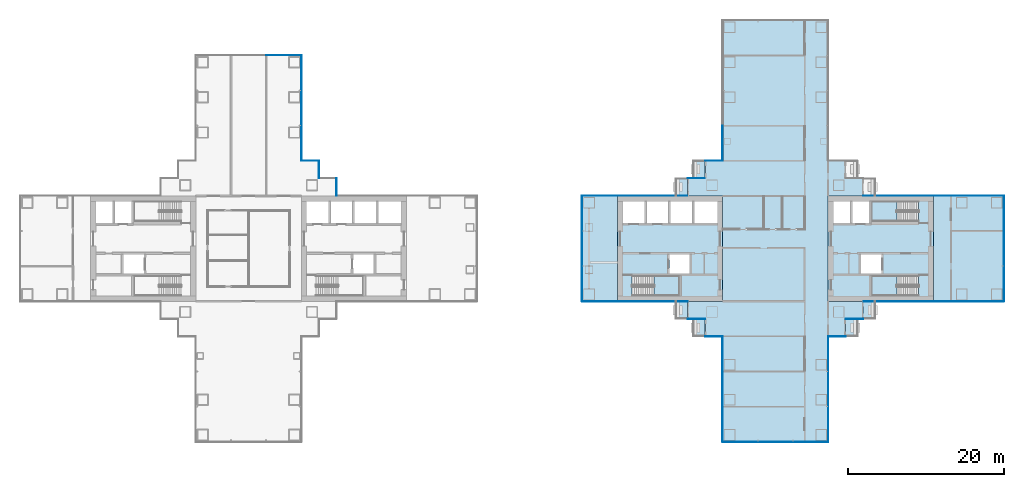
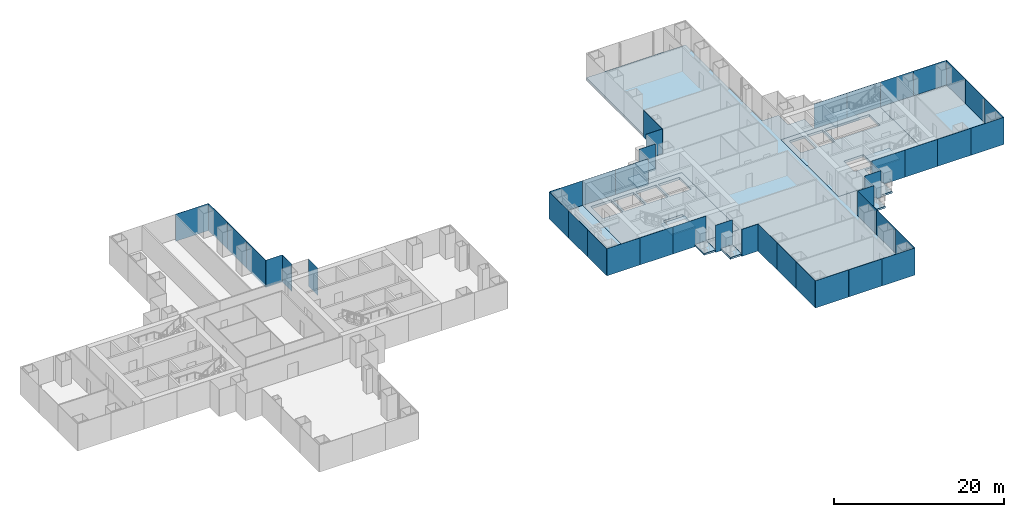
# One storey, part 11 of 21: 43 plates, 14 slabs, 23 elements without a shape of their own.
"""IFC4 building model written with IfcOpenShell, lengths in metres."""

import ifcopenshell
import ifcopenshell.guid

model = None  # the IFC model being written
_history = None  # IfcOwnerHistory: only IFC2X3 demands one
_inside = {}  # id of a spatial element -> (the spatial element, [elements in it])
_under = {}  # id of a project, library or spatial element -> (it, [spatial elements below it])
_declared = {}  # id of a project -> (the project, [libraries it declares])
_typed = {}  # id of a type object -> (the type object, [elements of that type])
_made_of = {}  # id of a material, layer set ... -> (it, [elements and type objects made of it])


def new_model(schema):
    """Start an empty IFC model of exactly this schema.

    Asked for "IFC4X3", IfcOpenShell would pick the latest addendum, in which some entities
    have other attributes; the version numbers below select the first issue.
    IFC2X3 requires an IfcOwnerHistory on every rooted entity: one is made here for all.
    """
    global model, _history
    if schema == "IFC4X3":
        model = ifcopenshell.file(schema_version=(4, 3, 0, 0))
    else:
        model = ifcopenshell.file(schema=schema)
    _inside.clear()
    _under.clear()
    _declared.clear()
    _typed.clear()
    _made_of.clear()
    _history = None
    if model.schema == "IFC2X3":
        org = make("IfcOrganization", Name="unknown")
        user = make(
            "IfcPersonAndOrganization",
            ThePerson=make("IfcPerson", FamilyName="unknown"),
            TheOrganization=org,
        )
        app = make(
            "IfcApplication",
            ApplicationDeveloper=org,
            Version="unknown",
            ApplicationFullName="unknown",
            ApplicationIdentifier="unknown",
        )
        _history = make(
            "IfcOwnerHistory",
            OwningUser=user,
            OwningApplication=app,
            ChangeAction="ADDED",
            CreationDate=0,
        )
    return model


def make(cls, **values):
    """One entity of the class cls with the attributes given. An attribute that is None is left unset."""
    return model.create_entity(
        cls, **{name: value for name, value in values.items() if value is not None}
    )


def rooted(cls, **values):
    """An entity with a GlobalId (a new one), such as an element, a storey or a relation."""
    return make(cls, GlobalId=ifcopenshell.guid.new(), OwnerHistory=_history, **values)


def si_unit(unit_type, name, prefix=None):
    """IfcSIUnit, for example si_unit("LENGTHUNIT", "METRE", prefix="MILLI")."""
    return make("IfcSIUnit", UnitType=unit_type, Prefix=prefix, Name=name)


def assignment(units):
    """IfcUnitAssignment: the units of a project."""
    return None if units is None else make("IfcUnitAssignment", Units=units)


def point(xyz):
    """IfcCartesianPoint."""
    return None if xyz is None else make("IfcCartesianPoint", Coordinates=xyz)


def direction(xyz):
    """IfcDirection."""
    return None if xyz is None else make("IfcDirection", DirectionRatios=xyz)


def frame(location, z_axis=None, x_axis=None):
    """IfcAxis2Placement3D, a coordinate frame: its origin and axes. An axis left out is left unset."""
    return make(
        "IfcAxis2Placement3D",
        Location=point(location),
        Axis=direction(z_axis),
        RefDirection=direction(x_axis),
    )


def frame_2d(location, x_axis=None):
    """IfcAxis2Placement2D, a coordinate frame in the plane: its origin and x axis."""
    return make(
        "IfcAxis2Placement2D", Location=point(location), RefDirection=direction(x_axis)
    )


def origin():
    """The frame at (0, 0, 0) with its axes left unset."""
    return frame((0.0, 0.0, 0.0))


def origin_2d():
    """The frame at (0, 0) in the plane with its x axis left unset."""
    return frame_2d((0.0, 0.0))


def place(relative_to, where):
    """IfcLocalPlacement: puts the frame where relative to a parent placement (None: the world)."""
    return make(
        "IfcLocalPlacement", PlacementRelTo=relative_to, RelativePlacement=where
    )


def context(
    kind, dimensions, precision=None, world=None, true_north=None, identifier=None
):
    """IfcGeometricRepresentationContext, for example the 3D "Model" context."""
    return make(
        "IfcGeometricRepresentationContext",
        ContextIdentifier=identifier,
        ContextType=kind,
        CoordinateSpaceDimension=dimensions,
        Precision=precision,
        WorldCoordinateSystem=world,
        TrueNorth=true_north,
    )


def subcontext(parent, identifier, kind, view, scale=None):
    """IfcGeometricRepresentationSubContext, for example "Body" below "Model"."""
    return make(
        "IfcGeometricRepresentationSubContext",
        ContextIdentifier=identifier,
        ContextType=kind,
        ParentContext=parent,
        TargetScale=scale,
        TargetView=view,
    )


def project(units=None, contexts=None):
    """IfcProject with its units and contexts."""
    return rooted(
        "IfcProject",
        Name="project",
        RepresentationContexts=contexts,
        UnitsInContext=assignment(units),
    )


def spatial(cls, under=None, at=None, **own):
    """A site, building, storey or space (cls), placed at a placement, below another one or the project."""
    s = rooted(cls, ObjectPlacement=at, **own)
    if under is not None:
        _under.setdefault(under.id(), (under, []))[1].append(s)
    return s


def polyline(points):
    """IfcPolyline through the points."""
    return make("IfcPolyline", Points=[point(p) for p in points])


def profile(cls, at=None, kind="AREA", **sizes):
    """A parametric profile (cls). Its sizes go by their IFC names, for example OverallWidth=200.0."""
    return make(cls, ProfileType=kind, Position=at, **sizes)


def rectangle(**sizes):
    """IfcRectangleProfileDef."""
    return profile("IfcRectangleProfileDef", **sizes)


def outline(outer, holes=None, kind="AREA"):
    """IfcArbitraryClosedProfileDef: a profile drawn as a closed curve; with holes, ...WithVoids."""
    if holes is None:
        return make("IfcArbitraryClosedProfileDef", ProfileType=kind, OuterCurve=outer)
    return make(
        "IfcArbitraryProfileDefWithVoids",
        ProfileType=kind,
        OuterCurve=outer,
        InnerCurves=holes,
    )


def extrude(swept, where, along, depth):
    """IfcExtrudedAreaSolid: the profile swept, set in the frame where, extruded along a direction by depth."""
    return make(
        "IfcExtrudedAreaSolid",
        SweptArea=swept,
        Position=where,
        ExtrudedDirection=direction(along),
        Depth=depth,
    )


def shape(context_of_items, identifier, shape_type, items):
    """IfcShapeRepresentation: the items that make up one representation, for example the "Body"."""
    return make(
        "IfcShapeRepresentation",
        ContextOfItems=context_of_items,
        RepresentationIdentifier=identifier,
        RepresentationType=shape_type,
        Items=items,
    )


def material(Name=None, Category=None):
    """IfcMaterial."""
    return make("IfcMaterial", Name=Name, Category=Category)


def layer(
    of_material, thickness, ventilated=None, Name=None, Category=None, Priority=None
):
    """IfcMaterialLayer: one layer of a wall or slab, of a material (None: an air gap)."""
    return make(
        "IfcMaterialLayer",
        Material=of_material,
        LayerThickness=thickness,
        IsVentilated=ventilated,
        Name=Name,
        Category=Category,
        Priority=Priority,
    )


def layer_set(layers, Name=None):
    """IfcMaterialLayerSet."""
    return make("IfcMaterialLayerSet", MaterialLayers=layers, LayerSetName=Name)


def made_of(thing, what):
    """Note that an element or type object is made of a material, layer set ...; save() writes the relation."""
    if what is not None:
        _made_of.setdefault(what.id(), (what, []))[1].append(thing)
    return thing


def type_object(cls, material=None, **own):
    """A type object (cls), such as IfcWallType, which elements share."""
    return made_of(rooted(cls, **own), material)


def element(
    cls,
    number,
    at=None,
    inside=None,
    cuts=None,
    type_object=None,
    material=None,
    context=None,
    identifier="Body",
    shape_type=None,
    held_by="IfcProductDefinitionShape",
    body=None,
    shapes=None,
    **own,
):
    """One element of the class cls, such as IfcWall. Its Tag is "e" and its number.

    at: its placement. inside: the storey or other place that contains it. cuts: it is an
    opening in that element (IfcRelVoidsElement). A single representation is given by context,
    identifier, shape_type and body (its items); several are given by shapes. held_by: the class
    of the entity that holds the representations. save() writes the other relations.
    """
    e = rooted(cls, Tag="e%d" % number, ObjectPlacement=at, **own)
    if body is not None:
        shapes = [shape(context, identifier, shape_type, body)]
    if shapes is not None:
        e.Representation = make(held_by, Representations=shapes)
    if inside is not None:
        _inside.setdefault(inside.id(), (inside, []))[1].append(e)
    if cuts is not None:
        rooted(
            "IfcRelVoidsElement", RelatingBuildingElement=cuts, RelatedOpeningElement=e
        )
    if type_object is not None:
        _typed.setdefault(type_object.id(), (type_object, []))[1].append(e)
    return made_of(e, material)


def aggregate(whole, parts):
    """IfcRelAggregates: a whole, such as a stair, and the parts it consists of."""
    return rooted("IfcRelAggregates", RelatingObject=whole, RelatedObjects=parts)


def save(model, path):
    """Write the relations noted so far, then the file.

    IfcRelAggregates (storeys below a building ...), IfcRelContainedInSpatialStructure (elements
    in a storey), IfcRelDefinesByType, IfcRelAssociatesMaterial and IfcRelDeclares: one each for
    every whole, place, type object, material and project.
    """
    for whole, parts in _under.values():
        aggregate(whole, parts)
    for where, things in _inside.values():
        rooted(
            "IfcRelContainedInSpatialStructure",
            RelatedElements=things,
            RelatingStructure=where,
        )
    for kind, things in _typed.values():
        rooted("IfcRelDefinesByType", RelatedObjects=things, RelatingType=kind)
    for what, things in _made_of.values():
        rooted("IfcRelAssociatesMaterial", RelatedObjects=things, RelatingMaterial=what)
    for by, libraries in _declared.values():
        rooted("IfcRelDeclares", RelatingContext=by, RelatedDefinitions=libraries)
    model.write(path)


model = new_model("IFC4")

# Units and contexts
model_context = context("Model", 3, precision=1e-05, world=origin(), true_north=direction((0.0, 1.0)))
body_context = subcontext(model_context, "Body", "Model", "MODEL_VIEW")
ifc_project = project(units=[si_unit("LENGTHUNIT", "METRE"), si_unit("AREAUNIT", "SQUARE_METRE"), si_unit("VOLUMEUNIT", "CUBIC_METRE"), si_unit("PLANEANGLEUNIT", "RADIAN"), si_unit("MASSUNIT", "GRAM", prefix="KILO")], contexts=[model_context])

# Site, building, storey
site_placement = place(None, origin())
site = spatial("IfcSite", under=ifc_project, at=site_placement, CompositionType="ELEMENT")
building_placement = place(site_placement, origin())
building = spatial("IfcBuilding", under=site, at=building_placement, Name="Shamsa Quay Exchange Towers", CompositionType="ELEMENT")
storey_placement = place(building_placement, frame((0.0, 0.0, 53.699951171875)))
storey = spatial("IfcBuildingStorey", under=building, at=storey_placement, Name="L11", CompositionType="ELEMENT", Elevation=53.699951171875)

# Slabs
ifc_material_1 = material(Name="Precast concrete C40/50", Category="concrete")
ifc_layer_1 = layer(ifc_material_1, 0.25)
ifc_layer_set_1 = layer_set([ifc_layer_1], Name="BALCONY SLAB 250")
slab_type_1 = type_object("IfcSlabType", Name="BALCONY SLAB 250", PredefinedType="FLOOR", material=ifc_layer_set_1)
slab_1_placement = place(storey_placement, frame((0.0, 0.0, -0.25)))
element("IfcSlab", 1, at=slab_1_placement, inside=storey, type_object=slab_type_1, Name="Balcony T2-PKEN L11", PredefinedType="FLOOR", context=body_context, shape_type="SweptSolid", body=[
    extrude(outline(polyline([(24.75, 11.25), (24.75, 9.0380859375), (23.199951171875, 9.0380859375), (23.199951171875, 11.25), (24.75, 11.25)])), origin(), (0.0, 0.0, 1.0), 0.25),
])
slab_2_placement = place(storey_placement, frame((0.0, 0.0, -0.25)))
element("IfcSlab", 2, at=slab_2_placement, inside=storey, type_object=slab_type_1, Name="Balcony T2-PKEN L11", PredefinedType="FLOOR", context=body_context, shape_type="SweptSolid", body=[
    extrude(outline(polyline([(22.5, 9.0), (22.5, 6.7880859375), (20.949951171875, 6.7880859375), (20.949951171875, 9.0), (22.5, 9.0)])), origin(), (0.0, 0.0, 1.0), 0.25),
])
slab_3_placement = place(storey_placement, frame((0.0, 0.0, -0.25)))
element("IfcSlab", 3, at=slab_3_placement, inside=storey, type_object=slab_type_1, Name="Balcony T2-PKWN L11", PredefinedType="FLOOR", context=body_context, shape_type="SweptSolid", body=[
    extrude(outline(polyline([(22.5, -6.7880859375), (22.5, -9.0), (20.949951171875, -9.0), (20.949951171875, -6.7880859375), (22.5, -6.7880859375)])), origin(), (0.0, 0.0, 1.0), 0.25),
])
slab_4_placement = place(storey_placement, frame((0.0, 0.0, -0.25)))
element("IfcSlab", 4, at=slab_4_placement, inside=storey, type_object=slab_type_1, Name="Balcony T2-PKWN L11", PredefinedType="FLOOR", context=body_context, shape_type="SweptSolid", body=[
    extrude(outline(polyline([(24.75, -9.0380859375), (24.75, -11.25), (23.199951171875, -11.25), (23.199951171875, -9.0380859375), (24.75, -9.0380859375)])), origin(), (0.0, 0.0, 1.0), 0.25),
])
slab_5_placement = place(storey_placement, frame((0.0, 0.0, -0.25)))
element("IfcSlab", 5, at=slab_5_placement, inside=storey, type_object=slab_type_1, Name="Balcony T2-PKWS L11", PredefinedType="FLOOR", context=body_context, shape_type="SweptSolid", body=[
    extrude(outline(polyline([(42.75, -11.25), (42.75, -9.0380859375), (44.300048828125, -9.0380859375), (44.300048828125, -11.25), (42.75, -11.25)])), origin(), (0.0, 0.0, 1.0), 0.25),
])
slab_6_placement = place(storey_placement, frame((0.0, 0.0, -0.25)))
element("IfcSlab", 6, at=slab_6_placement, inside=storey, type_object=slab_type_1, Name="Balcony T2-PKWS L11", PredefinedType="FLOOR", context=body_context, shape_type="SweptSolid", body=[
    extrude(outline(polyline([(45.0, -9.0), (45.0, -6.7880859375), (46.550048828125, -6.7880859375), (46.550048828125, -9.0), (45.0, -9.0)])), origin(), (0.0, 0.0, 1.0), 0.25),
])
ifc_material_2 = material(Name="Concrete C50/60", Category="concrete")
ifc_layer_2 = layer(ifc_material_2, 0.35009765625)
ifc_layer_set_2 = layer_set([ifc_layer_2], Name="CORE FLOOR 350 C50/60")
slab_type_2 = type_object("IfcSlabType", Name="CORE FLOOR 350 C50/60", PredefinedType="FLOOR", material=ifc_layer_set_2)
slab_7_placement = place(storey_placement, frame((0.0, 0.0, -0.349853515625)))
element("IfcSlab", 7, at=slab_7_placement, inside=storey, type_object=slab_type_2, Name="Core floor T2A", PredefinedType="FLOOR", context=body_context, shape_type="SweptSolid", body=[
    extrude(outline(polyline([(13.5, -6.75), (27.0, -6.75), (27.0, 6.75), (13.5, 6.75), (13.5, -6.75)]), holes=[polyline([(15.400634765625, -6.050048828125), (15.400634765625, -3.5), (21.5, -3.5), (21.5, -6.050048828125), (15.400634765625, -6.050048828125)]), polyline([(14.199951171875, 3.25), (14.199951171875, 6.050048828125), (17.0, 6.050048828125), (17.0, 3.25), (14.199951171875, 3.25)]), polyline([(17.25, 3.25), (17.25, 6.050048828125), (20.050048828125, 6.050048828125), (20.050048828125, 3.25), (17.25, 3.25)]), polyline([(20.300048828125, 3.25), (20.300048828125, 6.050048828125), (23.10009765625, 6.050048828125), (23.10009765625, 3.25), (20.300048828125, 3.25)]), polyline([(23.35009765625, 3.25), (23.35009765625, 6.050048828125), (26.300048828125, 6.050048828125), (26.300048828125, 3.25), (23.35009765625, 3.25)]), polyline([(20.14990234375, -3.25), (20.14990234375, -0.75), (22.800048828125, -0.75), (22.800048828125, -3.25), (20.14990234375, -3.25)])]), origin(), (0.0, 0.0, 1.0), 0.349853515625),
])
slab_8_placement = place(storey_placement, frame((0.0, 0.0, -0.349853515625)))
element("IfcSlab", 8, at=slab_8_placement, inside=storey, type_object=slab_type_2, Name="Core floor T2B", PredefinedType="FLOOR", context=body_context, shape_type="SweptSolid", body=[
    extrude(outline(polyline([(54.0, -6.75), (54.0, 6.75), (40.5, 6.75), (40.5, -6.75), (54.0, -6.75)]), holes=[polyline([(52.099365234375, -3.5), (52.099365234375, -6.050048828125), (46.0, -6.050048828125), (46.0, -3.5), (52.099365234375, -3.5)]), polyline([(52.099365234375, 6.050048828125), (52.099365234375, 3.5), (46.0, 3.5), (46.0, 6.050048828125), (52.099365234375, 6.050048828125)]), polyline([(45.75, 3.25), (43.60009765625, 3.25), (43.60009765625, 6.050048828125), (45.75, 6.050048828125), (45.75, 3.25)]), polyline([(43.35009765625, 3.25), (41.199951171875, 3.25), (41.199951171875, 6.050048828125), (43.35009765625, 6.050048828125), (43.35009765625, 3.25)]), polyline([(47.35009765625, -3.25), (44.699951171875, -3.25), (44.699951171875, -0.75), (47.35009765625, -0.75), (47.35009765625, -3.25)])]), origin(), (0.0, 0.0, 1.0), 0.349853515625),
])

# Stair, slab
ifc_material_3 = material(Name="Concrete C40/50", Category="concrete")
stair_type = type_object("IfcStairType", Name="EXIT STAIR 22 RISERS 177 MM", PredefinedType="HALF_TURN_STAIR", material=ifc_material_3)
stair_1_placement = place(storey_placement, origin())
stair_1 = element("IfcStair", 9, at=stair_1_placement, inside=storey, type_object=stair_type, Name="L11 Exit stair ST4", PredefinedType="HALF_TURN_STAIR")
ifc_layer_3 = layer(ifc_material_3, 0.199951171875)
ifc_layer_set_3 = layer_set([ifc_layer_3], Name="CORE STAIR LANDING")
slab_type_3 = type_object("IfcSlabType", Name="CORE STAIR LANDING", PredefinedType="LANDING", material=ifc_layer_set_3)
slab_9_placement = place(storey_placement, frame((0.0, 0.0, 1.75)))
slab_9 = element("IfcSlab", 10, at=slab_9_placement, type_object=slab_type_3, Name="ST4 landing 1", PredefinedType="LANDING", context=body_context, shape_type="SweptSolid", body=[
    extrude(outline(polyline([(18.199951171875, -6.050048828125), (21.5, -6.050048828125), (21.5, -3.5), (18.199951171875, -3.5), (18.199951171875, -6.050048828125)])), origin(), (0.0, 0.0, 1.0), 0.199951171875),
])
aggregate(stair_1, [slab_9])

stair_2_placement = place(storey_placement, origin())
stair_2 = element("IfcStair", 11, at=stair_2_placement, inside=storey, type_object=stair_type, Name="L11 Exit stair ST5", PredefinedType="HALF_TURN_STAIR")
slab_10_placement = place(storey_placement, frame((0.0, 0.0, 1.75)))
slab_10 = element("IfcSlab", 12, at=slab_10_placement, type_object=slab_type_3, Name="ST5 landing 1", PredefinedType="LANDING", context=body_context, shape_type="SweptSolid", body=[
    extrude(outline(polyline([(49.300048828125, -3.5), (46.0, -3.5), (46.0, -6.050048828125), (49.300048828125, -6.050048828125), (49.300048828125, -3.5)])), origin(), (0.0, 0.0, 1.0), 0.199951171875),
])
aggregate(stair_2, [slab_10])

stair_3_placement = place(storey_placement, origin())
stair_3 = element("IfcStair", 13, at=stair_3_placement, inside=storey, type_object=stair_type, Name="L11 Exit stair ST6", PredefinedType="HALF_TURN_STAIR")
slab_11_placement = place(storey_placement, frame((0.0, 0.0, 1.75)))
slab_11 = element("IfcSlab", 14, at=slab_11_placement, type_object=slab_type_3, Name="ST6 landing 1", PredefinedType="LANDING", context=body_context, shape_type="SweptSolid", body=[
    extrude(outline(polyline([(49.300048828125, 6.050048828125), (46.0, 6.050048828125), (46.0, 3.5), (49.300048828125, 3.5), (49.300048828125, 6.050048828125)])), origin(), (0.0, 0.0, 1.0), 0.199951171875),
])
aggregate(stair_3, [slab_11])

# Curtain wall, plates
ifc_material_4 = material(Name="Aluminium EN AW-6063 T6, black anodised", Category="aluminium")
ifc_layer_4 = layer(ifc_material_4, 0.280029296875)
ifc_layer_set_4 = layer_set([ifc_layer_4], Name="CW-1 UNITISED VISION GLASS")
curtain_wall_type_1 = type_object("IfcCurtainWallType", Name="CW-1 UNITISED VISION GLASS", PredefinedType="NOTDEFINED", material=ifc_layer_set_4)
curtain_wall_1_placement = place(storey_placement, origin())
curtain_wall_1 = element("IfcCurtainWall", 15, at=curtain_wall_1_placement, inside=storey, type_object=curtain_wall_type_1, Name="CW1 T1-FLK-V+E L11", PredefinedType="NOTDEFINED")
ifc_material_5 = material(Name="Glass, laminated, dark tinted", Category="glass")
ifc_layer_5 = layer(ifc_material_5, 0.0400390625)
ifc_layer_set_5 = layer_set([ifc_layer_5], Name="CW-1 VISION GLASS 40")
plate_type_1 = type_object("IfcPlateType", Name="CW-1 VISION GLASS 40", PredefinedType="CURTAIN_PANEL", material=ifc_layer_set_5)
plate_1_placement = place(storey_placement, frame((-26.97998046875, 13.529052734375, -0.349853515625), z_axis=(0.0, 0.0, 1.0), x_axis=(0.0, 1.0, 0.0)))
plate_1 = element("IfcPlate", 16, at=plate_1_placement, type_object=plate_type_1, Name="CW1 glass panel", PredefinedType="CURTAIN_PANEL", context=body_context, shape_type="SweptSolid", body=[
    extrude(rectangle(XDim=4.482421875, YDim=0.0400390625, at=origin_2d()), origin(), (0.0, 0.0, 1.0), 3.89990234375),
])
plate_2_placement = place(storey_placement, frame((-26.97998046875, 18.01904296875, -0.349853515625), z_axis=(0.0, 0.0, 1.0), x_axis=(0.0, 1.0, 0.0)))
plate_2 = element("IfcPlate", 17, at=plate_2_placement, type_object=plate_type_1, Name="CW1 glass panel", PredefinedType="CURTAIN_PANEL", context=body_context, shape_type="SweptSolid", body=[
    extrude(rectangle(XDim=4.477294921875, YDim=0.0400390625, at=origin_2d()), origin(), (0.0, 0.0, 1.0), 3.89990234375),
])
plate_3_placement = place(storey_placement, frame((-26.97998046875, 22.5087890625, -0.349853515625), z_axis=(0.0, 0.0, 1.0), x_axis=(0.0, 1.0, 0.0)))
plate_3 = element("IfcPlate", 18, at=plate_3_placement, type_object=plate_type_1, Name="CW1 glass panel", PredefinedType="CURTAIN_PANEL", context=body_context, shape_type="SweptSolid", body=[
    extrude(rectangle(XDim=4.482421875, YDim=0.0400390625, at=origin_2d()), origin(), (0.0, 0.0, 1.0), 3.89990234375),
])
aggregate(curtain_wall_1, [plate_1, plate_2, plate_3])

# Curtain wall, plate
curtain_wall_2_placement = place(storey_placement, origin())
curtain_wall_2 = element("IfcCurtainWall", 19, at=curtain_wall_2_placement, inside=storey, type_object=curtain_wall_type_1, Name="CW1 T1-END-V+ L11", PredefinedType="NOTDEFINED")
plate_4_placement = place(storey_placement, frame((-29.24755859375, 24.77001953125, -0.349853515625), z_axis=(0.0, 0.0, 1.0), x_axis=(-1.0, 0.0, 0.0)))
plate_4 = element("IfcPlate", 20, at=plate_4_placement, type_object=plate_type_1, Name="CW1 glass panel", PredefinedType="CURTAIN_PANEL", context=body_context, shape_type="SweptSolid", body=[
    extrude(rectangle(XDim=4.4951171875, YDim=0.0400390625, at=origin_2d()), origin(), (0.0, 0.0, 1.0), 3.89990234375),
])
aggregate(curtain_wall_2, [plate_4])

# Curtain wall, plates
curtain_wall_3_placement = place(storey_placement, origin())
curtain_wall_3 = element("IfcCurtainWall", 21, at=curtain_wall_3_placement, inside=storey, type_object=curtain_wall_type_1, Name="CW1 T2-FLK-V-W L11", PredefinedType="NOTDEFINED")
plate_5_placement = place(storey_placement, frame((56.24755859375, -6.77001953125, -0.349853515625)))
plate_5 = element("IfcPlate", 22, at=plate_5_placement, type_object=plate_type_1, Name="CW1 glass panel", PredefinedType="CURTAIN_PANEL", context=body_context, shape_type="SweptSolid", body=[
    extrude(rectangle(XDim=4.4951171875, YDim=0.0400390625, at=origin_2d()), origin(), (0.0, 0.0, 1.0), 3.89990234375),
])
plate_6_placement = place(storey_placement, frame((60.75244140625, -6.77001953125, -0.349853515625)))
plate_6 = element("IfcPlate", 23, at=plate_6_placement, type_object=plate_type_1, Name="CW1 glass panel", PredefinedType="CURTAIN_PANEL", context=body_context, shape_type="SweptSolid", body=[
    extrude(rectangle(XDim=4.4951171875, YDim=0.0400390625, at=origin_2d()), origin(), (0.0, 0.0, 1.0), 3.89990234375),
])
aggregate(curtain_wall_3, [plate_5, plate_6])

curtain_wall_4_placement = place(storey_placement, origin())
curtain_wall_4 = element("IfcCurtainWall", 24, at=curtain_wall_4_placement, inside=storey, type_object=curtain_wall_type_1, Name="CW1 T2-END-V- L11", PredefinedType="NOTDEFINED")
plate_7_placement = place(storey_placement, frame((63.02001953125, -4.50244140625, -0.349853515625), z_axis=(0.0, 0.0, 1.0), x_axis=(0.0, 1.0, 0.0)))
plate_7 = element("IfcPlate", 25, at=plate_7_placement, type_object=plate_type_1, Name="CW1 glass panel", PredefinedType="CURTAIN_PANEL", context=body_context, shape_type="SweptSolid", body=[
    extrude(rectangle(XDim=4.4951171875, YDim=0.0400390625, at=origin_2d()), origin(), (0.0, 0.0, 1.0), 3.89990234375),
])
plate_8_placement = place(storey_placement, frame((63.02001953125, 0.0, -0.349853515625), z_axis=(0.0, 0.0, 1.0), x_axis=(0.0, 1.0, 0.0)))
plate_8 = element("IfcPlate", 26, at=plate_8_placement, type_object=plate_type_1, Name="CW1 glass panel", PredefinedType="CURTAIN_PANEL", context=body_context, shape_type="SweptSolid", body=[
    extrude(rectangle(XDim=4.489990234375, YDim=0.0400390625, at=origin_2d()), origin(), (0.0, 0.0, 1.0), 3.89990234375),
])
plate_9_placement = place(storey_placement, frame((63.02001953125, 4.50244140625, -0.349853515625), z_axis=(0.0, 0.0, 1.0), x_axis=(0.0, 1.0, 0.0)))
plate_9 = element("IfcPlate", 27, at=plate_9_placement, type_object=plate_type_1, Name="CW1 glass panel", PredefinedType="CURTAIN_PANEL", context=body_context, shape_type="SweptSolid", body=[
    extrude(rectangle(XDim=4.4951171875, YDim=0.0400390625, at=origin_2d()), origin(), (0.0, 0.0, 1.0), 3.89990234375),
])
aggregate(curtain_wall_4, [plate_7, plate_8, plate_9])

curtain_wall_5_placement = place(storey_placement, origin())
curtain_wall_5 = element("IfcCurtainWall", 28, at=curtain_wall_5_placement, inside=storey, type_object=curtain_wall_type_1, Name="CW1 T2-FLK-V-E L11", PredefinedType="NOTDEFINED")
plate_10_placement = place(storey_placement, frame((60.75244140625, 6.77001953125, -0.349853515625), z_axis=(0.0, 0.0, 1.0), x_axis=(-1.0, 0.0, 0.0)))
plate_10 = element("IfcPlate", 29, at=plate_10_placement, type_object=plate_type_1, Name="CW1 glass panel", PredefinedType="CURTAIN_PANEL", context=body_context, shape_type="SweptSolid", body=[
    extrude(rectangle(XDim=4.4951171875, YDim=0.0400390625, at=origin_2d()), origin(), (0.0, 0.0, 1.0), 3.89990234375),
])
plate_11_placement = place(storey_placement, frame((56.24755859375, 6.77001953125, -0.349853515625), z_axis=(0.0, 0.0, 1.0), x_axis=(-1.0, 0.0, 0.0)))
plate_11 = element("IfcPlate", 30, at=plate_11_placement, type_object=plate_type_1, Name="CW1 glass panel", PredefinedType="CURTAIN_PANEL", context=body_context, shape_type="SweptSolid", body=[
    extrude(rectangle(XDim=4.4951171875, YDim=0.0400390625, at=origin_2d()), origin(), (0.0, 0.0, 1.0), 3.89990234375),
])
aggregate(curtain_wall_5, [plate_10, plate_11])

# Curtain wall, plate
curtain_wall_6_placement = place(storey_placement, origin())
curtain_wall_6 = element("IfcCurtainWall", 31, at=curtain_wall_6_placement, inside=storey, type_object=curtain_wall_type_1, Name="CW1 T2-FLK-U+N L11", PredefinedType="NOTDEFINED")
plate_12_placement = place(storey_placement, frame((26.97998046875, 13.49755859375, -0.349853515625), z_axis=(0.0, 0.0, 1.0), x_axis=(0.0, -1.0, 0.0)))
plate_12 = element("IfcPlate", 32, at=plate_12_placement, type_object=plate_type_1, Name="CW1 glass panel", PredefinedType="CURTAIN_PANEL", context=body_context, shape_type="SweptSolid", body=[
    extrude(rectangle(XDim=4.4951171875, YDim=0.0400390625, at=origin_2d()), origin(), (0.0, 0.0, 1.0), 3.89990234375),
])
aggregate(curtain_wall_6, [plate_12])

curtain_wall_7_placement = place(storey_placement, origin())
curtain_wall_7 = element("IfcCurtainWall", 33, at=curtain_wall_7_placement, inside=storey, type_object=curtain_wall_type_1, Name="CW1 T2-FLK-V+E L11", PredefinedType="NOTDEFINED")
plate_13_placement = place(storey_placement, frame((11.25, 6.77001953125, -0.349853515625), z_axis=(0.0, 0.0, 1.0), x_axis=(-1.0, 0.0, 0.0)))
plate_13 = element("IfcPlate", 34, at=plate_13_placement, type_object=plate_type_1, Name="CW1 glass panel", PredefinedType="CURTAIN_PANEL", context=body_context, shape_type="SweptSolid", body=[
    extrude(rectangle(XDim=4.5, YDim=0.0400390625, at=origin_2d()), origin(), (0.0, 0.0, 1.0), 3.89990234375),
])
aggregate(curtain_wall_7, [plate_13])

# Curtain wall, plates
curtain_wall_8_placement = place(storey_placement, origin())
curtain_wall_8 = element("IfcCurtainWall", 35, at=curtain_wall_8_placement, inside=storey, type_object=curtain_wall_type_1, Name="CW1 T2-END-V+ L11", PredefinedType="NOTDEFINED")
plate_14_placement = place(storey_placement, frame((8.97998046875, 4.50244140625, -0.349853515625), z_axis=(0.0, 0.0, 1.0), x_axis=(0.0, -1.0, 0.0)))
plate_14 = element("IfcPlate", 36, at=plate_14_placement, type_object=plate_type_1, Name="CW1 glass panel", PredefinedType="CURTAIN_PANEL", context=body_context, shape_type="SweptSolid", body=[
    extrude(rectangle(XDim=4.4951171875, YDim=0.0400390625, at=origin_2d()), origin(), (0.0, 0.0, 1.0), 3.89990234375),
])
plate_15_placement = place(storey_placement, frame((8.97998046875, 0.0, -0.349853515625), z_axis=(0.0, 0.0, 1.0), x_axis=(0.0, -1.0, 0.0)))
plate_15 = element("IfcPlate", 37, at=plate_15_placement, type_object=plate_type_1, Name="CW1 glass panel", PredefinedType="CURTAIN_PANEL", context=body_context, shape_type="SweptSolid", body=[
    extrude(rectangle(XDim=4.489990234375, YDim=0.0400390625, at=origin_2d()), origin(), (0.0, 0.0, 1.0), 3.89990234375),
])
plate_16_placement = place(storey_placement, frame((8.97998046875, -4.50244140625, -0.349853515625), z_axis=(0.0, 0.0, 1.0), x_axis=(0.0, -1.0, 0.0)))
plate_16 = element("IfcPlate", 38, at=plate_16_placement, type_object=plate_type_1, Name="CW1 glass panel", PredefinedType="CURTAIN_PANEL", context=body_context, shape_type="SweptSolid", body=[
    extrude(rectangle(XDim=4.4951171875, YDim=0.0400390625, at=origin_2d()), origin(), (0.0, 0.0, 1.0), 3.89990234375),
])
aggregate(curtain_wall_8, [plate_14, plate_15, plate_16])

# Curtain wall, plate
curtain_wall_9_placement = place(storey_placement, origin())
curtain_wall_9 = element("IfcCurtainWall", 39, at=curtain_wall_9_placement, inside=storey, type_object=curtain_wall_type_1, Name="CW1 T2-FLK-V+W L11", PredefinedType="NOTDEFINED")
plate_17_placement = place(storey_placement, frame((11.25, -6.77001953125, -0.349853515625)))
plate_17 = element("IfcPlate", 40, at=plate_17_placement, type_object=plate_type_1, Name="CW1 glass panel", PredefinedType="CURTAIN_PANEL", context=body_context, shape_type="SweptSolid", body=[
    extrude(rectangle(XDim=4.5, YDim=0.0400390625, at=origin_2d()), origin(), (0.0, 0.0, 1.0), 3.89990234375),
])
aggregate(curtain_wall_9, [plate_17])

# Curtain wall, plates
curtain_wall_10_placement = place(storey_placement, origin())
curtain_wall_10 = element("IfcCurtainWall", 41, at=curtain_wall_10_placement, inside=storey, type_object=curtain_wall_type_1, Name="CW1 T2-FLK-U-N L11", PredefinedType="NOTDEFINED")
plate_18_placement = place(storey_placement, frame((26.97998046875, -13.529052734375, -0.349853515625), z_axis=(0.0, 0.0, 1.0), x_axis=(0.0, -1.0, 0.0)))
plate_18 = element("IfcPlate", 42, at=plate_18_placement, type_object=plate_type_1, Name="CW1 glass panel", PredefinedType="CURTAIN_PANEL", context=body_context, shape_type="SweptSolid", body=[
    extrude(rectangle(XDim=4.482421875, YDim=0.0400390625, at=origin_2d()), origin(), (0.0, 0.0, 1.0), 3.89990234375),
])
plate_19_placement = place(storey_placement, frame((26.97998046875, -18.01904296875, -0.349853515625), z_axis=(0.0, 0.0, 1.0), x_axis=(0.0, -1.0, 0.0)))
plate_19 = element("IfcPlate", 43, at=plate_19_placement, type_object=plate_type_1, Name="CW1 glass panel", PredefinedType="CURTAIN_PANEL", context=body_context, shape_type="SweptSolid", body=[
    extrude(rectangle(XDim=4.477294921875, YDim=0.0400390625, at=origin_2d()), origin(), (0.0, 0.0, 1.0), 3.89990234375),
])
plate_20_placement = place(storey_placement, frame((26.97998046875, -22.5087890625, -0.349853515625), z_axis=(0.0, 0.0, 1.0), x_axis=(0.0, -1.0, 0.0)))
plate_20 = element("IfcPlate", 44, at=plate_20_placement, type_object=plate_type_1, Name="CW1 glass panel", PredefinedType="CURTAIN_PANEL", context=body_context, shape_type="SweptSolid", body=[
    extrude(rectangle(XDim=4.482421875, YDim=0.0400390625, at=origin_2d()), origin(), (0.0, 0.0, 1.0), 3.89990234375),
])
aggregate(curtain_wall_10, [plate_18, plate_19, plate_20])

curtain_wall_11_placement = place(storey_placement, origin())
curtain_wall_11 = element("IfcCurtainWall", 45, at=curtain_wall_11_placement, inside=storey, type_object=curtain_wall_type_1, Name="CW1 T2-END-U- L11", PredefinedType="NOTDEFINED")
plate_21_placement = place(storey_placement, frame((29.24755859375, -24.77001953125, -0.349853515625)))
plate_21 = element("IfcPlate", 46, at=plate_21_placement, type_object=plate_type_1, Name="CW1 glass panel", PredefinedType="CURTAIN_PANEL", context=body_context, shape_type="SweptSolid", body=[
    extrude(rectangle(XDim=4.4951171875, YDim=0.0400390625, at=origin_2d()), origin(), (0.0, 0.0, 1.0), 3.89990234375),
])
plate_22_placement = place(storey_placement, frame((33.75, -24.77001953125, -0.349853515625)))
plate_22 = element("IfcPlate", 47, at=plate_22_placement, type_object=plate_type_1, Name="CW1 glass panel", PredefinedType="CURTAIN_PANEL", context=body_context, shape_type="SweptSolid", body=[
    extrude(rectangle(XDim=4.489990234375, YDim=0.0400390625, at=origin_2d()), origin(), (0.0, 0.0, 1.0), 3.89990234375),
])
plate_23_placement = place(storey_placement, frame((38.25244140625, -24.77001953125, -0.349853515625)))
plate_23 = element("IfcPlate", 48, at=plate_23_placement, type_object=plate_type_1, Name="CW1 glass panel", PredefinedType="CURTAIN_PANEL", context=body_context, shape_type="SweptSolid", body=[
    extrude(rectangle(XDim=4.4951171875, YDim=0.0400390625, at=origin_2d()), origin(), (0.0, 0.0, 1.0), 3.89990234375),
])
aggregate(curtain_wall_11, [plate_21, plate_22, plate_23])

curtain_wall_12_placement = place(storey_placement, origin())
curtain_wall_12 = element("IfcCurtainWall", 49, at=curtain_wall_12_placement, inside=storey, type_object=curtain_wall_type_1, Name="CW1 T2-FLK-U-S L11", PredefinedType="NOTDEFINED")
plate_24_placement = place(storey_placement, frame((40.52001953125, -22.50244140625, -0.349853515625), z_axis=(0.0, 0.0, 1.0), x_axis=(0.0, 1.0, 0.0)))
plate_24 = element("IfcPlate", 50, at=plate_24_placement, type_object=plate_type_1, Name="CW1 glass panel", PredefinedType="CURTAIN_PANEL", context=body_context, shape_type="SweptSolid", body=[
    extrude(rectangle(XDim=4.4951171875, YDim=0.0400390625, at=origin_2d()), origin(), (0.0, 0.0, 1.0), 3.89990234375),
])
plate_25_placement = place(storey_placement, frame((40.52001953125, -18.0, -0.349853515625), z_axis=(0.0, 0.0, 1.0), x_axis=(0.0, 1.0, 0.0)))
plate_25 = element("IfcPlate", 51, at=plate_25_placement, type_object=plate_type_1, Name="CW1 glass panel", PredefinedType="CURTAIN_PANEL", context=body_context, shape_type="SweptSolid", body=[
    extrude(rectangle(XDim=4.489990234375, YDim=0.0400390625, at=origin_2d()), origin(), (0.0, 0.0, 1.0), 3.89990234375),
])
plate_26_placement = place(storey_placement, frame((40.52001953125, -13.49755859375, -0.349853515625), z_axis=(0.0, 0.0, 1.0), x_axis=(0.0, 1.0, 0.0)))
plate_26 = element("IfcPlate", 52, at=plate_26_placement, type_object=plate_type_1, Name="CW1 glass panel", PredefinedType="CURTAIN_PANEL", context=body_context, shape_type="SweptSolid", body=[
    extrude(rectangle(XDim=4.4951171875, YDim=0.0400390625, at=origin_2d()), origin(), (0.0, 0.0, 1.0), 3.89990234375),
])
aggregate(curtain_wall_12, [plate_24, plate_25, plate_26])

ifc_layer_6 = layer(ifc_material_4, 0.303955078125)
ifc_layer_set_6 = layer_set([ifc_layer_6], Name="CW-2 UNITISED OPAQUE SPANDREL GLASS")
curtain_wall_type_2 = type_object("IfcCurtainWallType", Name="CW-2 UNITISED OPAQUE SPANDREL GLASS", PredefinedType="NOTDEFINED", material=ifc_layer_set_6)
curtain_wall_13_placement = place(storey_placement, origin())
curtain_wall_13 = element("IfcCurtainWall", 53, at=curtain_wall_13_placement, inside=storey, type_object=curtain_wall_type_2, Name="CW2 T2-FLK-V-W L11", PredefinedType="NOTDEFINED")
ifc_material_6 = material(Name="Glass, laminated, black enamelled opaque", Category="glass")
ifc_layer_7 = layer(ifc_material_6, 0.0439453125)
ifc_layer_set_7 = layer_set([ifc_layer_7], Name="CW-2 SPANDREL GLASS 44")
plate_type_2 = type_object("IfcPlateType", Name="CW-2 SPANDREL GLASS 44", PredefinedType="CURTAIN_PANEL", material=ifc_layer_set_7)
plate_27_placement = place(storey_placement, frame((47.27587890625, -6.77197265625, -0.349853515625)))
plate_27 = element("IfcPlate", 54, at=plate_27_placement, type_object=plate_type_2, Name="CW2 glass panel", PredefinedType="CURTAIN_PANEL", context=body_context, shape_type="SweptSolid", body=[
    extrude(rectangle(XDim=4.47607421875, YDim=0.0439453125, at=origin_2d()), origin(), (0.0, 0.0, 1.0), 3.89990234375),
])
plate_28_placement = place(storey_placement, frame((51.761962890625, -6.77197265625, -0.349853515625)))
plate_28 = element("IfcPlate", 55, at=plate_28_placement, type_object=plate_type_2, Name="CW2 glass panel", PredefinedType="CURTAIN_PANEL", context=body_context, shape_type="SweptSolid", body=[
    extrude(rectangle(XDim=4.47607421875, YDim=0.0439453125, at=origin_2d()), origin(), (0.0, 0.0, 1.0), 3.89990234375),
])
aggregate(curtain_wall_13, [plate_27, plate_28])

curtain_wall_14_placement = place(storey_placement, origin())
curtain_wall_14 = element("IfcCurtainWall", 56, at=curtain_wall_14_placement, inside=storey, type_object=curtain_wall_type_2, Name="CW2 T2-FLK-V-E L11", PredefinedType="NOTDEFINED")
plate_29_placement = place(storey_placement, frame((51.75244140625, 6.77197265625, -0.349853515625), z_axis=(0.0, 0.0, 1.0), x_axis=(-1.0, 0.0, 0.0)))
plate_29 = element("IfcPlate", 57, at=plate_29_placement, type_object=plate_type_2, Name="CW2 glass panel", PredefinedType="CURTAIN_PANEL", context=body_context, shape_type="SweptSolid", body=[
    extrude(rectangle(XDim=4.4951171875, YDim=0.0439453125, at=origin_2d()), origin(), (0.0, 0.0, 1.0), 3.89990234375),
])
plate_30_placement = place(storey_placement, frame((47.24755859375, 6.77197265625, -0.349853515625), z_axis=(0.0, 0.0, 1.0), x_axis=(-1.0, 0.0, 0.0)))
plate_30 = element("IfcPlate", 58, at=plate_30_placement, type_object=plate_type_2, Name="CW2 glass panel", PredefinedType="CURTAIN_PANEL", context=body_context, shape_type="SweptSolid", body=[
    extrude(rectangle(XDim=4.4951171875, YDim=0.0439453125, at=origin_2d()), origin(), (0.0, 0.0, 1.0), 3.89990234375),
])
aggregate(curtain_wall_14, [plate_29, plate_30])

curtain_wall_15_placement = place(storey_placement, origin())
curtain_wall_15 = element("IfcCurtainWall", 59, at=curtain_wall_15_placement, inside=storey, type_object=curtain_wall_type_2, Name="CW2 T2-FLK-V+E L11", PredefinedType="NOTDEFINED")
plate_31_placement = place(storey_placement, frame((20.22412109375, 6.77197265625, -0.349853515625), z_axis=(0.0, 0.0, 1.0), x_axis=(-1.0, 0.0, 0.0)))
plate_31 = element("IfcPlate", 60, at=plate_31_placement, type_object=plate_type_2, Name="CW2 glass panel", PredefinedType="CURTAIN_PANEL", context=body_context, shape_type="SweptSolid", body=[
    extrude(rectangle(XDim=4.47607421875, YDim=0.0439453125, at=origin_2d()), origin(), (0.0, 0.0, 1.0), 3.89990234375),
])
plate_32_placement = place(storey_placement, frame((15.738037109375, 6.77197265625, -0.349853515625), z_axis=(0.0, 0.0, 1.0), x_axis=(-1.0, 0.0, 0.0)))
plate_32 = element("IfcPlate", 61, at=plate_32_placement, type_object=plate_type_2, Name="CW2 glass panel", PredefinedType="CURTAIN_PANEL", context=body_context, shape_type="SweptSolid", body=[
    extrude(rectangle(XDim=4.47607421875, YDim=0.0439453125, at=origin_2d()), origin(), (0.0, 0.0, 1.0), 3.89990234375),
])
aggregate(curtain_wall_15, [plate_31, plate_32])

curtain_wall_16_placement = place(storey_placement, origin())
curtain_wall_16 = element("IfcCurtainWall", 62, at=curtain_wall_16_placement, inside=storey, type_object=curtain_wall_type_2, Name="CW2 T2-FLK-V+W L11", PredefinedType="NOTDEFINED")
plate_33_placement = place(storey_placement, frame((15.74755859375, -6.77197265625, -0.349853515625)))
plate_33 = element("IfcPlate", 63, at=plate_33_placement, type_object=plate_type_2, Name="CW2 glass panel", PredefinedType="CURTAIN_PANEL", context=body_context, shape_type="SweptSolid", body=[
    extrude(rectangle(XDim=4.4951171875, YDim=0.0439453125, at=origin_2d()), origin(), (0.0, 0.0, 1.0), 3.89990234375),
])
plate_34_placement = place(storey_placement, frame((20.25244140625, -6.77197265625, -0.349853515625)))
plate_34 = element("IfcPlate", 64, at=plate_34_placement, type_object=plate_type_2, Name="CW2 glass panel", PredefinedType="CURTAIN_PANEL", context=body_context, shape_type="SweptSolid", body=[
    extrude(rectangle(XDim=4.4951171875, YDim=0.0439453125, at=origin_2d()), origin(), (0.0, 0.0, 1.0), 3.89990234375),
])
aggregate(curtain_wall_16, [plate_33, plate_34])

ifc_layer_8 = layer(ifc_material_4, 0.256103515625)
ifc_layer_set_8 = layer_set([ifc_layer_8], Name="CW-4 POCKET SERRATED GLAZING")
curtain_wall_type_3 = type_object("IfcCurtainWallType", Name="CW-4 POCKET SERRATED GLAZING", PredefinedType="NOTDEFINED", material=ifc_layer_set_8)
curtain_wall_17_placement = place(storey_placement, origin())
curtain_wall_17 = element("IfcCurtainWall", 65, at=curtain_wall_17_placement, inside=storey, type_object=curtain_wall_type_3, Name="CW4 PKEN L11", PredefinedType="NOTDEFINED")
ifc_layer_9 = layer(ifc_material_5, 0.035888671875)
ifc_layer_set_9 = layer_set([ifc_layer_9], Name="CW-4 POCKET GLASS 36")
plate_type_3 = type_object("IfcPlateType", Name="CW-4 POCKET GLASS 36", PredefinedType="CURTAIN_PANEL", material=ifc_layer_set_9)
plate_35_placement = place(storey_placement, frame((-22.48193359375, 7.89794921875, -0.349853515625), z_axis=(0.0, 0.0, 1.0), x_axis=(0.0, 1.0, 0.0)))
plate_35 = element("IfcPlate", 66, at=plate_35_placement, type_object=plate_type_3, Name="CW4 glass panel", PredefinedType="CURTAIN_PANEL", context=body_context, shape_type="SweptSolid", body=[
    extrude(rectangle(XDim=2.2041015625, YDim=0.035888671875, at=origin_2d()), origin(), (0.0, 0.0, 1.0), 3.89990234375),
])
plate_36_placement = place(storey_placement, frame((-24.73193359375, 10.14404296875, -0.349853515625), z_axis=(0.0, 0.0, 1.0), x_axis=(0.0, 1.0, 0.0)))
plate_36 = element("IfcPlate", 67, at=plate_36_placement, type_object=plate_type_3, Name="CW4 glass panel", PredefinedType="CURTAIN_PANEL", context=body_context, shape_type="SweptSolid", body=[
    extrude(rectangle(XDim=2.2119140625, YDim=0.035888671875, at=origin_2d()), origin(), (0.0, 0.0, 1.0), 3.89990234375),
])
plate_37_placement = place(storey_placement, frame((-25.875, 11.26806640625, -0.349853515625), z_axis=(0.0, 0.0, 1.0), x_axis=(-1.0, 0.0, 0.0)))
plate_37 = element("IfcPlate", 68, at=plate_37_placement, type_object=plate_type_3, Name="CW4 glass panel", PredefinedType="CURTAIN_PANEL", context=body_context, shape_type="SweptSolid", body=[
    extrude(rectangle(XDim=2.25, YDim=0.035888671875, at=origin_2d()), origin(), (0.0, 0.0, 1.0), 3.89990234375),
])
aggregate(curtain_wall_17, [plate_35, plate_36, plate_37])

curtain_wall_18_placement = place(storey_placement, origin())
curtain_wall_18 = element("IfcCurtainWall", 69, at=curtain_wall_18_placement, inside=storey, type_object=curtain_wall_type_3, Name="CW4 PKWS L11", PredefinedType="NOTDEFINED")
plate_38_placement = place(storey_placement, frame((43.89404296875, -9.01806640625, -0.349853515625)))
plate_38 = element("IfcPlate", 70, at=plate_38_placement, type_object=plate_type_3, Name="CW4 glass panel", PredefinedType="CURTAIN_PANEL", context=body_context, shape_type="SweptSolid", body=[
    extrude(rectangle(XDim=2.2119140625, YDim=0.035888671875, at=origin_2d()), origin(), (0.0, 0.0, 1.0), 3.89990234375),
])
plate_39_placement = place(storey_placement, frame((41.64599609375, -11.26806640625, -0.349853515625)))
plate_39 = element("IfcPlate", 71, at=plate_39_placement, type_object=plate_type_3, Name="CW4 glass panel", PredefinedType="CURTAIN_PANEL", context=body_context, shape_type="SweptSolid", body=[
    extrude(rectangle(XDim=2.2080078125, YDim=0.035888671875, at=origin_2d()), origin(), (0.0, 0.0, 1.0), 3.89990234375),
])
aggregate(curtain_wall_18, [plate_38, plate_39])

curtain_wall_19_placement = place(storey_placement, origin())
curtain_wall_19 = element("IfcCurtainWall", 72, at=curtain_wall_19_placement, inside=storey, type_object=curtain_wall_type_3, Name="CW4 PKEN L11", PredefinedType="NOTDEFINED")
plate_40_placement = place(storey_placement, frame((25.85400390625, 11.26806640625, -0.349853515625), z_axis=(0.0, 0.0, 1.0), x_axis=(-1.0, 0.0, 0.0)))
plate_40 = element("IfcPlate", 73, at=plate_40_placement, type_object=plate_type_3, Name="CW4 glass panel", PredefinedType="CURTAIN_PANEL", context=body_context, shape_type="SweptSolid", body=[
    extrude(rectangle(XDim=2.2080078125, YDim=0.035888671875, at=origin_2d()), origin(), (0.0, 0.0, 1.0), 3.89990234375),
])
plate_41_placement = place(storey_placement, frame((23.60595703125, 9.01806640625, -0.349853515625), z_axis=(0.0, 0.0, 1.0), x_axis=(-1.0, 0.0, 0.0)))
plate_41 = element("IfcPlate", 74, at=plate_41_placement, type_object=plate_type_3, Name="CW4 glass panel", PredefinedType="CURTAIN_PANEL", context=body_context, shape_type="SweptSolid", body=[
    extrude(rectangle(XDim=2.2119140625, YDim=0.035888671875, at=origin_2d()), origin(), (0.0, 0.0, 1.0), 3.89990234375),
])
aggregate(curtain_wall_19, [plate_40, plate_41])

curtain_wall_20_placement = place(storey_placement, origin())
curtain_wall_20 = element("IfcCurtainWall", 75, at=curtain_wall_20_placement, inside=storey, type_object=curtain_wall_type_3, Name="CW4 PKWN L11", PredefinedType="NOTDEFINED")
plate_42_placement = place(storey_placement, frame((23.625, -9.01806640625, -0.349853515625)))
plate_42 = element("IfcPlate", 76, at=plate_42_placement, type_object=plate_type_3, Name="CW4 glass panel", PredefinedType="CURTAIN_PANEL", context=body_context, shape_type="SweptSolid", body=[
    extrude(rectangle(XDim=2.25, YDim=0.035888671875, at=origin_2d()), origin(), (0.0, 0.0, 1.0), 3.89990234375),
])
plate_43_placement = place(storey_placement, frame((25.875, -11.26806640625, -0.349853515625)))
plate_43 = element("IfcPlate", 77, at=plate_43_placement, type_object=plate_type_3, Name="CW4 glass panel", PredefinedType="CURTAIN_PANEL", context=body_context, shape_type="SweptSolid", body=[
    extrude(rectangle(XDim=2.25, YDim=0.035888671875, at=origin_2d()), origin(), (0.0, 0.0, 1.0), 3.89990234375),
])
aggregate(curtain_wall_20, [plate_42, plate_43])

# Slabs
ifc_layer_10 = layer(ifc_material_3, 0.35009765625)
ifc_layer_set_10 = layer_set([ifc_layer_10], Name="Flat slab 350")
slab_type_4 = type_object("IfcSlabType", Name="Flat slab 350", PredefinedType="FLOOR", material=ifc_layer_set_10)
slab_12_placement = place(storey_placement, frame((0.0, 0.0, -0.349853515625)))
element("IfcSlab", 78, at=slab_12_placement, inside=storey, type_object=slab_type_4, Name="Flat slab T2 L11 4", PredefinedType="FLOOR", context=body_context, shape_type="SweptSolid", body=[
    extrude(outline(polyline([(9.0, -6.75), (13.5, -6.75), (13.5, 6.75), (9.0, 6.75), (9.0, -6.75)])), origin(), (0.0, 0.0, 1.0), 0.349853515625),
])
slab_13_placement = place(storey_placement, frame((0.0, 0.0, -0.349853515625)))
element("IfcSlab", 79, at=slab_13_placement, inside=storey, type_object=slab_type_4, Name="Flat slab T2 L11 5", PredefinedType="FLOOR", context=body_context, shape_type="SweptSolid", body=[
    extrude(outline(polyline([(45.0, -9.0), (45.0, -6.75), (40.5, -6.75), (40.5, 6.75), (45.0, 6.75), (45.0, 9.0), (42.75, 9.0), (42.75, 11.25), (40.5, 11.25), (40.5, 29.25), (27.0, 29.25), (27.0, 11.25), (24.75, 11.25), (24.75, 9.0), (22.5, 9.0), (22.5, 6.75), (27.0, 6.75), (27.0, -6.75), (22.5, -6.75), (22.5, -9.0), (24.75, -9.0), (24.75, -11.25), (27.0, -11.25), (27.0, -24.75), (40.5, -24.75), (40.5, -11.25), (42.75, -11.25), (42.75, -9.0), (45.0, -9.0)])), origin(), (0.0, 0.0, 1.0), 0.349853515625),
])
slab_14_placement = place(storey_placement, frame((0.0, 0.0, -0.349853515625)))
element("IfcSlab", 80, at=slab_14_placement, inside=storey, type_object=slab_type_4, Name="Flat slab T2 L11 6", PredefinedType="FLOOR", context=body_context, shape_type="SweptSolid", body=[
    extrude(outline(polyline([(63.0, 6.75), (54.0, 6.75), (54.0, -6.75), (63.0, -6.75), (63.0, 6.75)])), origin(), (0.0, 0.0, 1.0), 0.349853515625),
])

save(model, "model.ifc")
